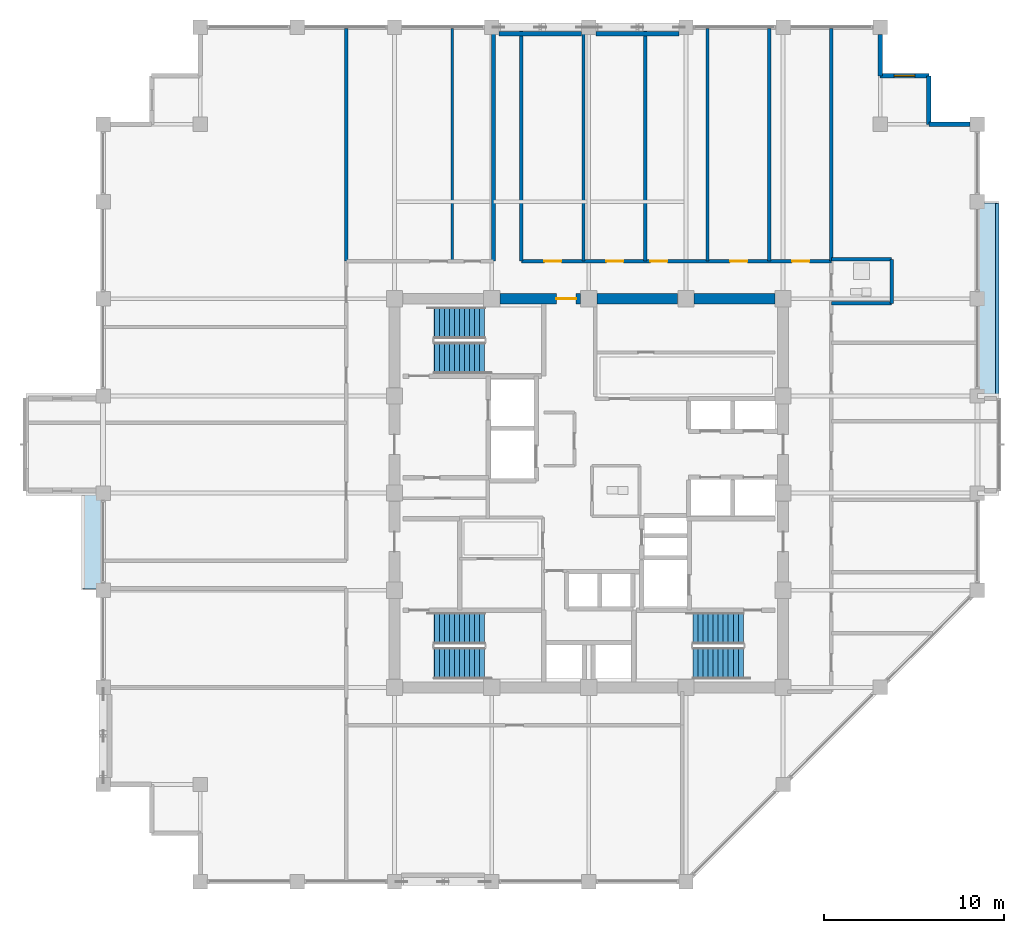
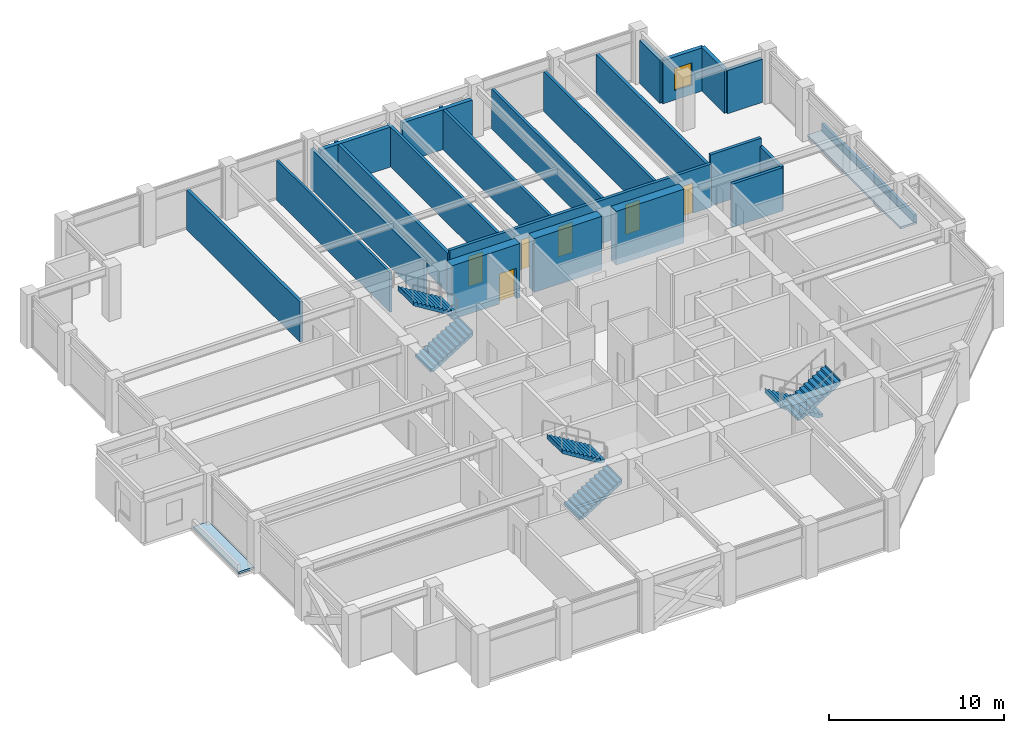
# One storey, part 25 of 28: 23 walls, 6 doors, 6 stair flights, 2 roofs, 1 window, 7 openings, 3 elements without a shape of their own.
"""IFC4 building model written with IfcOpenShell, lengths in metres."""

from ifc_helpers import new_model, si_unit, direction, frame, frame_2d, origin, place, context, subcontext, project, spatial, polyline, rectangle, outline, extrude, material, layer, layer_set, type_object, element, fill, aggregate, save


model = new_model("IFC4")

# Units and contexts
model_context = context("Model", 3, precision=1e-05, world=origin(), true_north=direction((0.0, 1.0)))
body_context = subcontext(model_context, "Body", "Model", "MODEL_VIEW")
ifc_project = project(units=[si_unit("LENGTHUNIT", "METRE"), si_unit("AREAUNIT", "SQUARE_METRE"), si_unit("VOLUMEUNIT", "CUBIC_METRE"), si_unit("PLANEANGLEUNIT", "RADIAN"), si_unit("MASSUNIT", "GRAM", prefix="KILO")], contexts=[model_context])

# Site, building, storey
site_placement = place(None, origin())
site = spatial("IfcSite", under=ifc_project, at=site_placement, CompositionType="ELEMENT")
building_placement = place(site_placement, origin())
building = spatial("IfcBuilding", under=site, at=building_placement, Name="Surkhivell Harbour Commons", CompositionType="ELEMENT")
storey_placement = place(building_placement, frame((0.0, 0.0, 238.5)))
storey = spatial("IfcBuildingStorey", under=building, at=storey_placement, Name="L62", CompositionType="ELEMENT", Elevation=238.5)

# Wall, opening, door
ifc_material_1 = material(Name="Concrete C60/75", Category="concrete")
ifc_layer_1 = layer(ifc_material_1, 0.60009765625)
ifc_layer_set_1 = layer_set([ifc_layer_1], Name="Concrete C60/75")
wall_type_1 = type_object("IfcWallType", Name="WAL-CORE-600", PredefinedType="SHEAR", material=ifc_layer_set_1)
wall_1_placement = place(storey_placement, frame((-4.93994140625, 10.800048828125, 0.0), z_axis=(0.0, 0.0, 1.0), x_axis=(1.0, 0.0, 0.0)))
wall_1 = element("IfcWall", 1, at=wall_1_placement, inside=storey, type_object=wall_type_1, Name="L62 Core Shear Wall North 2", PredefinedType="SHEAR", context=body_context, shape_type="SweptSolid", body=[
    extrude(rectangle(XDim=4.47998046875, YDim=0.60009765625, at=frame_2d((2.239990234375, 0.0))), origin(), (0.0, 0.0, 1.0), 3.75),
])
opening_1_placement = place(wall_1_placement, frame((3.1298828125, 0.0, 0.0)))
opening_1 = element("IfcOpeningElement", 2, at=opening_1_placement, cuts=wall_1, Name="Opening ID-2", PredefinedType="OPENING", context=body_context, shape_type="SweptSolid", body=[
    extrude(rectangle(XDim=1.10009765625, YDim=2.10009765625, at=frame_2d((0.550048828125, 1.050048828125))), frame((0.0, 0.31005859375, 0.0), z_axis=(0.0, -1.0, 0.0), x_axis=(1.0, 0.0, 0.0)), (0.0, 0.0, 1.0), 0.6201171875),
])
ifc_material_2 = material(Name="Hardwood-veneered fire-rated door leaf", Category="wood")
door_type_1 = type_object("IfcDoorType", Name="DOR-FD60-1100", OperationType="NOTDEFINED", PredefinedType="DOOR", material=ifc_material_2)
door_1_placement = place(opening_1_placement, origin())
door_1 = element("IfcDoor", 3, at=door_1_placement, inside=storey, type_object=door_type_1, Name="L62 Central Core Lift Hall North Corridor Door", OperationType="SINGLE_SWING_LEFT", OverallHeight=2.10009765625, OverallWidth=1.10009765625, PredefinedType="DOOR", context=body_context, shape_type="SweptSolid", body=[
    extrude(rectangle(XDim=1.10009765625, YDim=2.10009765625, at=frame_2d((0.550048828125, 1.050048828125))), frame((0.0, 0.02490234375, 0.0), z_axis=(0.0, -1.0, 0.0), x_axis=(1.0, 0.0, 0.0)), (0.0, 0.0, 1.0), 0.050048828125),
])
fill(opening_1, door_1)

# Walls
for number, where, z_axis, x_axis, name in (
    (4, (0.4599609375, 10.800048828125, 0.0), (0.0, 0.0, 1.0), (1.0, 0.0, 0.0), "L62 Core Shear Wall North 3"),
    (5, (5.860107421875, 10.800048828125, 0.0), (0.0, 0.0, 1.0), (1.0, 0.0, 0.0), "L62 Core Shear Wall North 4"),
):
    element("IfcWall", number, at=place(storey_placement, frame(where, z_axis=z_axis, x_axis=x_axis)), inside=storey, type_object=wall_type_1, Name=name, PredefinedType="SHEAR", context=body_context, shape_type="SweptSolid", body=[
        extrude(rectangle(XDim=4.47998046875, YDim=0.60009765625, at=frame_2d((2.239990234375, 0.0))), origin(), (0.0, 0.0, 1.0), 3.75),
    ])
ifc_material_3 = material(Name="Pale-metal insulated precast concrete C45/55", Category="concrete")
ifc_layer_2 = layer(ifc_material_3, 0.260009765625)
ifc_layer_set_2 = layer_set([ifc_layer_2], Name="Pale-metal insulated precast concrete C45/55")
wall_type_2 = type_object("IfcWallType", Name="WAL-EXT-MTL260", PredefinedType="STANDARD", material=ifc_layer_set_2)
wall_2_placement = place(storey_placement, frame((21.201904296875, 20.5, 0.0), z_axis=(0.0, 0.0, 1.0), x_axis=(-1.0, 0.0, 0.0)))
element("IfcWall", 6, at=wall_2_placement, inside=storey, type_object=wall_type_2, Name="L62 Serrated Corner Facade Wall 03", PredefinedType="STANDARD", context=body_context, shape_type="SweptSolid", body=[
    extrude(rectangle(XDim=2.302001953125, YDim=0.260009765625, at=frame_2d((1.15087890625, 0.0))), origin(), (0.0, 0.0, 1.0), 3.006103515625),
])
wall_3_placement = place(storey_placement, frame((18.89990234375, 20.5, 0.0), z_axis=(0.0, 0.0, 1.0), x_axis=(0.0, 1.0, 0.0)))
element("IfcWall", 7, at=wall_3_placement, inside=storey, type_object=wall_type_2, Name="L62 Serrated Corner Facade Wall 04", PredefinedType="STANDARD", context=body_context, shape_type="SweptSolid", body=[
    extrude(rectangle(XDim=2.699951171875, YDim=0.260009765625, at=frame_2d((1.35009765625, 0.0))), origin(), (0.0, 0.0, 1.0), 3.006103515625),
])

# Wall, opening, window
wall_4_placement = place(storey_placement, frame((18.89990234375, 23.199951171875, 0.0), z_axis=(0.0, 0.0, 1.0), x_axis=(-1.0, 0.0, 0.0)))
wall_4 = element("IfcWall", 8, at=wall_4_placement, inside=storey, type_object=wall_type_2, Name="L62 Serrated Corner Facade Wall 05", PredefinedType="STANDARD", context=body_context, shape_type="SweptSolid", body=[
    extrude(rectangle(XDim=2.699951171875, YDim=0.260009765625, at=frame_2d((1.35009765625, 0.0))), origin(), (0.0, 0.0, 1.0), 3.006103515625),
])
opening_2_placement = place(wall_4_placement, frame((0.77490234375, 0.0, 0.64990234375)))
opening_2 = element("IfcOpeningElement", 9, at=opening_2_placement, cuts=wall_4, Name="Opening WN-10", PredefinedType="OPENING", context=body_context, shape_type="SweptSolid", body=[
    extrude(rectangle(XDim=1.14990234375, YDim=1.550048828125, at=frame_2d((0.574951171875, 0.77490234375))), frame((0.0, 0.139892578125, 0.0), z_axis=(0.0, -1.0, 0.0), x_axis=(1.0, 0.0, 0.0)), (0.0, 0.0, 1.0), 0.280029296875),
])
ifc_material_4 = material(Name="Thermal-break aluminium frame and double low-E glazing", Category="aluminium")
window_type = type_object("IfcWindowType", Name="WIN-SER-1150x1550", PartitioningType="SINGLE_PANEL", PredefinedType="WINDOW", material=ifc_material_4)
window_placement = place(opening_2_placement, origin())
window = element("IfcWindow", 10, at=window_placement, inside=storey, type_object=window_type, Name="L62 Serrated Alcove Window 05", OverallHeight=1.550048828125, OverallWidth=1.14990234375, PartitioningType="SINGLE_PANEL", PredefinedType="WINDOW", context=body_context, shape_type="SweptSolid", body=[
    extrude(rectangle(XDim=1.14990234375, YDim=1.550048828125, at=frame_2d((0.574951171875, 0.77490234375))), frame((0.0, 0.030029296875, 0.0), z_axis=(0.0, -1.0, 0.0), x_axis=(1.0, 0.0, 0.0)), (0.0, 0.0, 1.0), 0.06005859375),
])
fill(opening_2, window)

# Walls
wall_5_placement = place(storey_placement, frame((16.199951171875, 23.199951171875, 0.0), z_axis=(0.0, 0.0, 1.0), x_axis=(0.0, 1.0, 0.0)))
element("IfcWall", 11, at=wall_5_placement, inside=storey, type_object=wall_type_2, Name="L62 Serrated Corner Facade Wall 06", PredefinedType="STANDARD", context=body_context, shape_type="SweptSolid", body=[
    extrude(rectangle(XDim=2.302001953125, YDim=0.260009765625, at=frame_2d((1.15087890625, 0.0))), origin(), (0.0, 0.0, 1.0), 3.006103515625),
])
for number, where, z_axis, x_axis, name in (
    (12, (-0.39794921875, 25.5400390625, 0.0), (0.0, 0.0, 1.0), (-1.0, 0.0, 0.0), "L62 Braced-Bay Insulated Spandrel Backing N"),
    (13, (5.001953125, 25.5400390625, 0.0), (0.0, 0.0, 1.0), (-1.0, 0.0, 0.0), "L62 Braced-Bay Insulated Spandrel Backing N2"),
):
    element("IfcWall", number, at=place(storey_placement, frame(where, z_axis=z_axis, x_axis=x_axis)), inside=storey, type_object=wall_type_2, Name=name, PredefinedType="STANDARD", context=body_context, shape_type="SweptSolid", body=[
        extrude(rectangle(XDim=4.60400390625, YDim=0.260009765625, at=frame_2d((2.302001953125, 0.0))), origin(), (0.0, 0.0, 1.0), 2.780029296875),
    ])
ifc_material_5 = material(Name="Twin-stud acoustic fireboard partition", Category="other")
ifc_layer_3 = layer(ifc_material_5, 0.14990234375)
ifc_layer_set_3 = layer_set([ifc_layer_3], Name="Twin-stud acoustic fireboard partition")
wall_type_3 = type_object("IfcWallType", Name="WAL-INT-150", PredefinedType="PARTITIONING", material=ifc_layer_set_3)
wall_6_placement = place(storey_placement, frame((-7.590087890625, 12.89990234375, 0.0), z_axis=(0.0, 0.0, 1.0), x_axis=(0.0, 1.0, 0.0)))
element("IfcWall", 14, at=wall_6_placement, inside=storey, type_object=wall_type_3, Name="L62 North-West Partition P1", PredefinedType="PARTITIONING", context=body_context, shape_type="SweptSolid", body=[
    extrude(rectangle(XDim=12.940185546875, YDim=0.14990234375, at=frame_2d((6.47021484375, 0.0))), origin(), (0.0, 0.0, 1.0), 2.780029296875),
])
ifc_material_6 = material(Name="High-density acoustic blockwork fire partition", Category="masonry")
ifc_layer_4 = layer(ifc_material_6, 0.175048828125)
ifc_layer_set_4 = layer_set([ifc_layer_4], Name="High-density acoustic blockwork fire partition")
wall_type_4 = type_object("IfcWallType", Name="WAL-INT-175", PredefinedType="PARTITIONING", material=ifc_layer_set_4)
for number, where, z_axis, x_axis, name in (
    (15, (-0.300048828125, 12.89990234375, 0.0), (0.0, 0.0, 1.0), (0.0, 1.0, 0.0), "L62 North-East Partition P1"),
    (16, (3.139892578125, 12.89990234375, 0.0), (0.0, 0.0, 1.0), (0.0, 1.0, 0.0), "L62 North-East Partition P2"),
    (17, (6.590087890625, 12.89990234375, 0.0), (0.0, 0.0, 1.0), (0.0, 1.0, 0.0), "L62 North-East Partition P3"),
    (18, (10.030029296875, 12.89990234375, 0.0), (0.0, 0.0, 1.0), (0.0, 1.0, 0.0), "L62 North-East Partition P4"),
):
    element("IfcWall", number, at=place(storey_placement, frame(where, z_axis=z_axis, x_axis=x_axis)), inside=storey, type_object=wall_type_4, Name=name, PredefinedType="PARTITIONING", context=body_context, shape_type="SweptSolid", body=[
        extrude(rectangle(XDim=12.940185546875, YDim=0.175048828125, at=frame_2d((6.47021484375, 0.0))), origin(), (0.0, 0.0, 1.0), 2.780029296875),
    ])
ifc_material_7 = material(Name="Autoclaved aerated concrete blockwork and fire plaster", Category="masonry")
ifc_layer_5 = layer(ifc_material_7, 0.199951171875)
ifc_layer_set_5 = layer_set([ifc_layer_5], Name="Autoclaved aerated concrete blockwork and fire plaster")
wall_type_5 = type_object("IfcWallType", Name="WAL-INT-200", PredefinedType="PARTITIONING", material=ifc_layer_set_5)
for number, where, z_axis, x_axis, name in (
    (19, (13.47998046875, 12.89990234375, 0.0), (0.0, 0.0, 1.0), (0.0, 1.0, 0.0), "L62 North-East Corner Wall"),
    (20, (-13.47998046875, 12.89990234375, 0.0), (0.0, 0.0, 1.0), (0.0, 1.0, 0.0), "L62 North-West Corner Wall"),
):
    element("IfcWall", number, at=place(storey_placement, frame(where, z_axis=z_axis, x_axis=x_axis)), inside=storey, type_object=wall_type_5, Name=name, PredefinedType="PARTITIONING", context=body_context, shape_type="SweptSolid", body=[
        extrude(rectangle(XDim=12.940185546875, YDim=0.199951171875, at=frame_2d((6.47021484375, 0.0))), origin(), (0.0, 0.0, 1.0), 2.780029296875),
    ])

# Wall, openings, doors
wall_7_placement = place(storey_placement, frame((-3.75, 12.89990234375, 0.0), z_axis=(0.0, 0.0, 1.0), x_axis=(1.0, 0.0, 0.0)))
wall_7 = element("IfcWall", 21, at=wall_7_placement, inside=storey, type_object=wall_type_5, Name="L62 Corridor North-East Wall", PredefinedType="PARTITIONING", context=body_context, shape_type="SweptSolid", body=[
    extrude(rectangle(XDim=17.22998046875, YDim=0.199951171875, at=frame_2d((8.614990234375, 0.0))), origin(), (0.0, 0.0, 1.0), 3.006103515625),
])
opening_3_placement = place(wall_7_placement, frame((1.27490234375, 0.0, 0.0)))
opening_3 = element("IfcOpeningElement", 22, at=opening_3_placement, cuts=wall_7, Name="Opening ID-4", PredefinedType="OPENING", context=body_context, shape_type="SweptSolid", body=[
    extrude(rectangle(XDim=0.949951171875, YDim=2.10009765625, at=frame_2d((0.47509765625, 1.050048828125))), frame((0.0, 0.10986328125, 0.0), z_axis=(0.0, -1.0, 0.0), x_axis=(1.0, 0.0, 0.0)), (0.0, 0.0, 1.0), 0.219970703125),
])
opening_4_placement = place(wall_7_placement, frame((4.719970703125, 0.0, 0.0)))
opening_4 = element("IfcOpeningElement", 23, at=opening_4_placement, cuts=wall_7, Name="Opening ID-4", PredefinedType="OPENING", context=body_context, shape_type="SweptSolid", body=[
    extrude(rectangle(XDim=0.949951171875, YDim=2.10009765625, at=frame_2d((0.47509765625, 1.050048828125))), frame((0.0, 0.10986328125, 0.0), z_axis=(0.0, -1.0, 0.0), x_axis=(1.0, 0.0, 0.0)), (0.0, 0.0, 1.0), 0.219970703125),
])
opening_5_placement = place(wall_7_placement, frame((7.169921875, 0.0, 0.0)))
opening_5 = element("IfcOpeningElement", 24, at=opening_5_placement, cuts=wall_7, Name="Opening ID-4", PredefinedType="OPENING", context=body_context, shape_type="SweptSolid", body=[
    extrude(rectangle(XDim=0.949951171875, YDim=2.10009765625, at=frame_2d((0.47509765625, 1.050048828125))), frame((0.0, 0.10986328125, 0.0), z_axis=(0.0, -1.0, 0.0), x_axis=(1.0, 0.0, 0.0)), (0.0, 0.0, 1.0), 0.219970703125),
])
opening_6_placement = place(wall_7_placement, frame((11.610107421875, 0.0, 0.0)))
opening_6 = element("IfcOpeningElement", 25, at=opening_6_placement, cuts=wall_7, Name="Opening ID-4", PredefinedType="OPENING", context=body_context, shape_type="SweptSolid", body=[
    extrude(rectangle(XDim=0.949951171875, YDim=2.10009765625, at=frame_2d((0.47509765625, 1.050048828125))), frame((0.0, 0.10986328125, 0.0), z_axis=(0.0, -1.0, 0.0), x_axis=(1.0, 0.0, 0.0)), (0.0, 0.0, 1.0), 0.219970703125),
])
opening_7_placement = place(wall_7_placement, frame((15.054931640625, 0.0, 0.0)))
opening_7 = element("IfcOpeningElement", 26, at=opening_7_placement, cuts=wall_7, Name="Opening ID-4", PredefinedType="OPENING", context=body_context, shape_type="SweptSolid", body=[
    extrude(rectangle(XDim=0.949951171875, YDim=2.10009765625, at=frame_2d((0.47509765625, 1.050048828125))), frame((0.0, 0.10986328125, 0.0), z_axis=(0.0, -1.0, 0.0), x_axis=(1.0, 0.0, 0.0)), (0.0, 0.0, 1.0), 0.219970703125),
])
door_type_2 = type_object("IfcDoorType", Name="DOR-FD60-950", OperationType="NOTDEFINED", PredefinedType="DOOR", material=ifc_material_2)
door_2_placement = place(opening_3_placement, origin())
door_2 = element("IfcDoor", 27, at=door_2_placement, inside=storey, type_object=door_type_2, Name="L62 Co-Working Study Office Pod 1 North-East Door", OperationType="SINGLE_SWING_LEFT", OverallHeight=2.10009765625, OverallWidth=0.949951171875, PredefinedType="DOOR", context=body_context, shape_type="SweptSolid", body=[
    extrude(rectangle(XDim=0.949951171875, YDim=2.10009765625, at=frame_2d((0.47509765625, 1.050048828125))), frame((0.0, 0.02490234375, 0.0), z_axis=(0.0, -1.0, 0.0), x_axis=(1.0, 0.0, 0.0)), (0.0, 0.0, 1.0), 0.050048828125),
])
fill(opening_3, door_2)
door_3_placement = place(opening_4_placement, origin())
door_3 = element("IfcDoor", 28, at=door_3_placement, inside=storey, type_object=door_type_2, Name="L62 Academic Seminar Pod 2 North-East Door", OperationType="SINGLE_SWING_RIGHT", OverallHeight=2.10009765625, OverallWidth=0.949951171875, PredefinedType="DOOR", context=body_context, shape_type="SweptSolid", body=[
    extrude(rectangle(XDim=0.949951171875, YDim=2.10009765625, at=frame_2d((0.47509765625, 1.050048828125))), frame((0.0, 0.02490234375, 0.0), z_axis=(0.0, -1.0, 0.0), x_axis=(1.0, 0.0, 0.0)), (0.0, 0.0, 1.0), 0.050048828125),
])
fill(opening_4, door_3)
door_4_placement = place(opening_5_placement, origin())
door_4 = element("IfcDoor", 29, at=door_4_placement, inside=storey, type_object=door_type_2, Name="L62 Harbour Espresso Cafe Shop 3 North-East Door", OperationType="SINGLE_SWING_LEFT", OverallHeight=2.10009765625, OverallWidth=0.949951171875, PredefinedType="DOOR", context=body_context, shape_type="SweptSolid", body=[
    extrude(rectangle(XDim=0.949951171875, YDim=2.10009765625, at=frame_2d((0.47509765625, 1.050048828125))), frame((0.0, 0.02490234375, 0.0), z_axis=(0.0, -1.0, 0.0), x_axis=(1.0, 0.0, 0.0)), (0.0, 0.0, 1.0), 0.050048828125),
])
fill(opening_5, door_4)
door_5_placement = place(opening_6_placement, origin())
door_5 = element("IfcDoor", 30, at=door_5_placement, inside=storey, type_object=door_type_2, Name="L62 Zone Concierge Reception Foyer 4 North-East Door", OperationType="SINGLE_SWING_RIGHT", OverallHeight=2.10009765625, OverallWidth=0.949951171875, PredefinedType="DOOR", context=body_context, shape_type="SweptSolid", body=[
    extrude(rectangle(XDim=0.949951171875, YDim=2.10009765625, at=frame_2d((0.47509765625, 1.050048828125))), frame((0.0, 0.02490234375, 0.0), z_axis=(0.0, -1.0, 0.0), x_axis=(1.0, 0.0, 0.0)), (0.0, 0.0, 1.0), 0.050048828125),
])
fill(opening_6, door_5)
door_6_placement = place(opening_7_placement, origin())
door_6 = element("IfcDoor", 31, at=door_6_placement, inside=storey, type_object=door_type_2, Name="L62 Shared Communal Kitchen 5 North-East Door", OperationType="SINGLE_SWING_LEFT", OverallHeight=2.10009765625, OverallWidth=0.949951171875, PredefinedType="DOOR", context=body_context, shape_type="SweptSolid", body=[
    extrude(rectangle(XDim=0.949951171875, YDim=2.10009765625, at=frame_2d((0.47509765625, 1.050048828125))), frame((0.0, 0.02490234375, 0.0), z_axis=(0.0, -1.0, 0.0), x_axis=(1.0, 0.0, 0.0)), (0.0, 0.0, 1.0), 0.050048828125),
])
fill(opening_7, door_6)

# Walls
for number, where, z_axis, x_axis, name in (
    (32, (-3.75, 12.89990234375, 0.0), (0.0, 0.0, 1.0), (0.0, 1.0, 0.0), "L62 North Spur East Wall"),
    (33, (-5.300048828125, 12.89990234375, 0.0), (0.0, 0.0, 1.0), (0.0, 1.0, 0.0), "L62 North Spur West Wall"),
):
    element("IfcWall", number, at=place(storey_placement, frame(where, z_axis=z_axis, x_axis=x_axis)), inside=storey, type_object=wall_type_5, Name=name, PredefinedType="PARTITIONING", context=body_context, shape_type="SweptSolid", body=[
        extrude(rectangle(XDim=12.940185546875, YDim=0.199951171875, at=frame_2d((6.47021484375, 0.0))), origin(), (0.0, 0.0, 1.0), 2.780029296875),
    ])
wall_8_placement = place(storey_placement, frame((16.830078125, 10.550048828125, 0.0), z_axis=(0.0, 0.0, 1.0), x_axis=(0.0, 1.0, 0.0)))
element("IfcWall", 34, at=wall_8_placement, inside=storey, type_object=wall_type_5, Name="L62 East Partition BTHB", PredefinedType="PARTITIONING", context=body_context, shape_type="SweptSolid", body=[
    extrude(rectangle(XDim=2.449951171875, YDim=0.199951171875, at=frame_2d((1.22509765625, 0.0))), origin(), (0.0, 0.0, 1.0), 3.006103515625),
])
wall_9_placement = place(storey_placement, frame((13.47998046875, 13.0, 0.0), z_axis=(0.0, 0.0, 1.0), x_axis=(1.0, 0.0, 0.0)))
element("IfcWall", 35, at=wall_9_placement, inside=storey, type_object=wall_type_5, Name="L62 East Partition BTHN", PredefinedType="PARTITIONING", context=body_context, shape_type="SweptSolid", body=[
    extrude(rectangle(XDim=3.35009765625, YDim=0.199951171875, at=frame_2d((1.675048828125, 0.0))), origin(), (0.0, 0.0, 1.0), 3.570068359375),
])
wall_10_placement = place(storey_placement, frame((13.47998046875, 10.550048828125, 0.0), z_axis=(0.0, 0.0, 1.0), x_axis=(1.0, 0.0, 0.0)))
element("IfcWall", 36, at=wall_10_placement, inside=storey, type_object=wall_type_5, Name="L62 East Partition BTHS", PredefinedType="PARTITIONING", context=body_context, shape_type="SweptSolid", body=[
    extrude(rectangle(XDim=3.35009765625, YDim=0.199951171875, at=frame_2d((1.675048828125, 0.0))), origin(), (0.0, 0.0, 1.0), 3.006103515625),
])
ifc_material_8 = material(Name="Anodised aluminium and precast concrete C40/50", Category="concrete")
ifc_layer_6 = layer(ifc_material_8, 0.18505859375)
ifc_layer_set_6 = layer_set([ifc_layer_6], Name="Anodised aluminium and precast concrete C40/50")
wall_type_6 = type_object("IfcWallType", Name="WAL-PAR-185", PredefinedType="PARAPET", material=ifc_layer_set_6)
wall_11_placement = place(storey_placement, frame((22.699951171875, 5.52001953125, 0.0), z_axis=(0.0, 0.0, 1.0), x_axis=(0.0, 1.0, 0.0)))
element("IfcWall", 37, at=wall_11_placement, inside=storey, type_object=wall_type_6, Name="L62 Box Roof Coping Parapet 1-1", PredefinedType="PARAPET", context=body_context, shape_type="SweptSolid", body=[
    extrude(rectangle(XDim=10.580078125, YDim=0.18505859375, at=frame_2d((5.2900390625, 0.0))), origin(), (0.0, 0.0, 1.0), 0.64990234375),
])

# Stair, stair flights
ifc_material_9 = material(Name="Precast concrete C45/55", Category="concrete")
stair_type = type_object("IfcStairType", Name="STR-DL-375", PredefinedType="HALF_TURN_STAIR", material=ifc_material_9)
stair_1_placement = place(storey_placement, origin())
stair_1 = element("IfcStair", 38, at=stair_1_placement, inside=storey, type_object=stair_type, Name="L62 Core Exit Stair ST1", PredefinedType="HALF_TURN_STAIR")
stair_flight_type = type_object("IfcStairFlightType", Name="STF-DL-375", PredefinedType="STRAIGHT", material=ifc_material_9)
stair_flight_1_placement = place(storey_placement, frame((-8.590087890625, 7.514892578125, 0.0), z_axis=(0.0, 0.0, 1.0), x_axis=(1.0, 0.0, 0.0)))
stair_flight_1 = element("IfcStairFlight", 39, at=stair_flight_1_placement, type_object=stair_flight_type, Name="ST1 flight 1", NumberOfRisers=11, NumberOfTreads=10, PredefinedType="STRAIGHT", RiserHeight=0.170454545, TreadLength=0.28, context=body_context, shape_type="SweptSolid", body=[
    extrude(outline(polyline([(-0.0029296875, -0.034912109375), (-0.0029296875, 0.0), (0.0, 0.0), (0.0, 0.17041015625), (0.280029296875, 0.17041015625), (0.280029296875, 0.3408203125), (0.56005859375, 0.3408203125), (0.56005859375, 0.511474609375), (0.840087890625, 0.511474609375), (0.840087890625, 0.681884765625), (1.1201171875, 0.681884765625), (1.1201171875, 0.852294921875), (1.39990234375, 0.852294921875), (1.39990234375, 1.022705078125), (1.679931640625, 1.022705078125), (1.679931640625, 1.193115234375), (1.9599609375, 1.193115234375), (1.9599609375, 1.363525390625), (2.239990234375, 1.363525390625), (2.239990234375, 1.5341796875), (2.52001953125, 1.5341796875), (2.52001953125, 1.70458984375), (2.800048828125, 1.70458984375), (2.800048828125, 1.875), (2.802978515625, 1.875), (2.802978515625, 1.529052734375), (0.288330078125, -0.034912109375), (-0.0029296875, -0.034912109375)])), frame((0.0, 0.875, 0.0), z_axis=(0.0, -1.0, 0.0), x_axis=(1.0, 0.0, 0.0)), (0.0, 0.0, 1.0), 1.75),
])
stair_flight_2_placement = place(storey_placement, frame((-5.7900390625, 9.465087890625, 1.875), z_axis=(0.0, 0.0, 1.0), x_axis=(-1.0, 0.0, 0.0)))
stair_flight_2 = element("IfcStairFlight", 40, at=stair_flight_2_placement, type_object=stair_flight_type, Name="ST1 flight 2", NumberOfRisers=11, NumberOfTreads=10, PredefinedType="STRAIGHT", RiserHeight=0.170454545, TreadLength=0.28, context=body_context, shape_type="SweptSolid", body=[
    extrude(outline(polyline([(-0.0029296875, -0.034912109375), (-0.0029296875, 0.0), (0.0, 0.0), (0.0, 0.17041015625), (0.280029296875, 0.17041015625), (0.280029296875, 0.3408203125), (0.56005859375, 0.3408203125), (0.56005859375, 0.511474609375), (0.840087890625, 0.511474609375), (0.840087890625, 0.681884765625), (1.1201171875, 0.681884765625), (1.1201171875, 0.852294921875), (1.39990234375, 0.852294921875), (1.39990234375, 1.022705078125), (1.679931640625, 1.022705078125), (1.679931640625, 1.193115234375), (1.9599609375, 1.193115234375), (1.9599609375, 1.363525390625), (2.239990234375, 1.363525390625), (2.239990234375, 1.5341796875), (2.52001953125, 1.5341796875), (2.52001953125, 1.70458984375), (2.800048828125, 1.70458984375), (2.800048828125, 1.875), (2.802978515625, 1.875), (2.802978515625, 1.529052734375), (0.288330078125, -0.034912109375), (-0.0029296875, -0.034912109375)])), frame((0.0, 0.875, 0.0), z_axis=(0.0, -1.0, 0.0), x_axis=(1.0, 0.0, 0.0)), (0.0, 0.0, 1.0), 1.75),
])
aggregate(stair_1, [stair_flight_1, stair_flight_2])

stair_2_placement = place(storey_placement, origin())
stair_2 = element("IfcStair", 41, at=stair_2_placement, inside=storey, type_object=stair_type, Name="L62 Core Exit Stair ST2", PredefinedType="HALF_TURN_STAIR")
stair_flight_3_placement = place(storey_placement, frame((8.590087890625, -7.514892578125, 0.0), z_axis=(0.0, 0.0, 1.0), x_axis=(-1.0, 0.0, 0.0)))
stair_flight_3 = element("IfcStairFlight", 42, at=stair_flight_3_placement, type_object=stair_flight_type, Name="ST2 flight 1", NumberOfRisers=11, NumberOfTreads=10, PredefinedType="STRAIGHT", RiserHeight=0.170454545, TreadLength=0.28, context=body_context, shape_type="SweptSolid", body=[
    extrude(outline(polyline([(-0.0029296875, -0.034912109375), (-0.0029296875, 0.0), (0.0, 0.0), (0.0, 0.17041015625), (0.280029296875, 0.17041015625), (0.280029296875, 0.3408203125), (0.56005859375, 0.3408203125), (0.56005859375, 0.511474609375), (0.840087890625, 0.511474609375), (0.840087890625, 0.681884765625), (1.1201171875, 0.681884765625), (1.1201171875, 0.852294921875), (1.39990234375, 0.852294921875), (1.39990234375, 1.022705078125), (1.679931640625, 1.022705078125), (1.679931640625, 1.193115234375), (1.9599609375, 1.193115234375), (1.9599609375, 1.363525390625), (2.239990234375, 1.363525390625), (2.239990234375, 1.5341796875), (2.52001953125, 1.5341796875), (2.52001953125, 1.70458984375), (2.800048828125, 1.70458984375), (2.800048828125, 1.875), (2.802978515625, 1.875), (2.802978515625, 1.529052734375), (0.288330078125, -0.034912109375), (-0.0029296875, -0.034912109375)])), frame((0.0, 0.875, 0.0), z_axis=(0.0, -1.0, 0.0), x_axis=(1.0, 0.0, 0.0)), (0.0, 0.0, 1.0), 1.75),
])
stair_flight_4_placement = place(storey_placement, frame((5.7900390625, -9.465087890625, 1.875), z_axis=(0.0, 0.0, 1.0), x_axis=(1.0, 0.0, 0.0)))
stair_flight_4 = element("IfcStairFlight", 43, at=stair_flight_4_placement, type_object=stair_flight_type, Name="ST2 flight 2", NumberOfRisers=11, NumberOfTreads=10, PredefinedType="STRAIGHT", RiserHeight=0.170454545, TreadLength=0.28, context=body_context, shape_type="SweptSolid", body=[
    extrude(outline(polyline([(-0.0029296875, -0.034912109375), (-0.0029296875, 0.0), (0.0, 0.0), (0.0, 0.17041015625), (0.280029296875, 0.17041015625), (0.280029296875, 0.3408203125), (0.56005859375, 0.3408203125), (0.56005859375, 0.511474609375), (0.840087890625, 0.511474609375), (0.840087890625, 0.681884765625), (1.1201171875, 0.681884765625), (1.1201171875, 0.852294921875), (1.39990234375, 0.852294921875), (1.39990234375, 1.022705078125), (1.679931640625, 1.022705078125), (1.679931640625, 1.193115234375), (1.9599609375, 1.193115234375), (1.9599609375, 1.363525390625), (2.239990234375, 1.363525390625), (2.239990234375, 1.5341796875), (2.52001953125, 1.5341796875), (2.52001953125, 1.70458984375), (2.800048828125, 1.70458984375), (2.800048828125, 1.875), (2.802978515625, 1.875), (2.802978515625, 1.529052734375), (0.288330078125, -0.034912109375), (-0.0029296875, -0.034912109375)])), frame((0.0, 0.875, 0.0), z_axis=(0.0, -1.0, 0.0), x_axis=(1.0, 0.0, 0.0)), (0.0, 0.0, 1.0), 1.75),
])
aggregate(stair_2, [stair_flight_3, stair_flight_4])

stair_3_placement = place(storey_placement, origin())
stair_3 = element("IfcStair", 44, at=stair_3_placement, inside=storey, type_object=stair_type, Name="L62 Core Exit Stair ST3", PredefinedType="HALF_TURN_STAIR")
stair_flight_5_placement = place(storey_placement, frame((-8.590087890625, -9.465087890625, 0.0), z_axis=(0.0, 0.0, 1.0), x_axis=(1.0, 0.0, 0.0)))
stair_flight_5 = element("IfcStairFlight", 45, at=stair_flight_5_placement, type_object=stair_flight_type, Name="ST3 flight 1", NumberOfRisers=11, NumberOfTreads=10, PredefinedType="STRAIGHT", RiserHeight=0.170454545, TreadLength=0.28, context=body_context, shape_type="SweptSolid", body=[
    extrude(outline(polyline([(-0.0029296875, -0.034912109375), (-0.0029296875, 0.0), (0.0, 0.0), (0.0, 0.17041015625), (0.280029296875, 0.17041015625), (0.280029296875, 0.3408203125), (0.56005859375, 0.3408203125), (0.56005859375, 0.511474609375), (0.840087890625, 0.511474609375), (0.840087890625, 0.681884765625), (1.1201171875, 0.681884765625), (1.1201171875, 0.852294921875), (1.39990234375, 0.852294921875), (1.39990234375, 1.022705078125), (1.679931640625, 1.022705078125), (1.679931640625, 1.193115234375), (1.9599609375, 1.193115234375), (1.9599609375, 1.363525390625), (2.239990234375, 1.363525390625), (2.239990234375, 1.5341796875), (2.52001953125, 1.5341796875), (2.52001953125, 1.70458984375), (2.800048828125, 1.70458984375), (2.800048828125, 1.875), (2.802978515625, 1.875), (2.802978515625, 1.529052734375), (0.288330078125, -0.034912109375), (-0.0029296875, -0.034912109375)])), frame((0.0, 0.875, 0.0), z_axis=(0.0, -1.0, 0.0), x_axis=(1.0, 0.0, 0.0)), (0.0, 0.0, 1.0), 1.75),
])
stair_flight_6_placement = place(storey_placement, frame((-5.7900390625, -7.514892578125, 1.875), z_axis=(0.0, 0.0, 1.0), x_axis=(-1.0, 0.0, 0.0)))
stair_flight_6 = element("IfcStairFlight", 46, at=stair_flight_6_placement, type_object=stair_flight_type, Name="ST3 flight 2", NumberOfRisers=11, NumberOfTreads=10, PredefinedType="STRAIGHT", RiserHeight=0.170454545, TreadLength=0.28, context=body_context, shape_type="SweptSolid", body=[
    extrude(outline(polyline([(-0.0029296875, -0.034912109375), (-0.0029296875, 0.0), (0.0, 0.0), (0.0, 0.17041015625), (0.280029296875, 0.17041015625), (0.280029296875, 0.3408203125), (0.56005859375, 0.3408203125), (0.56005859375, 0.511474609375), (0.840087890625, 0.511474609375), (0.840087890625, 0.681884765625), (1.1201171875, 0.681884765625), (1.1201171875, 0.852294921875), (1.39990234375, 0.852294921875), (1.39990234375, 1.022705078125), (1.679931640625, 1.022705078125), (1.679931640625, 1.193115234375), (1.9599609375, 1.193115234375), (1.9599609375, 1.363525390625), (2.239990234375, 1.363525390625), (2.239990234375, 1.5341796875), (2.52001953125, 1.5341796875), (2.52001953125, 1.70458984375), (2.800048828125, 1.70458984375), (2.800048828125, 1.875), (2.802978515625, 1.875), (2.802978515625, 1.529052734375), (0.288330078125, -0.034912109375), (-0.0029296875, -0.034912109375)])), frame((0.0, 0.875, 0.0), z_axis=(0.0, -1.0, 0.0), x_axis=(1.0, 0.0, 0.0)), (0.0, 0.0, 1.0), 1.75),
])
aggregate(stair_3, [stair_flight_5, stair_flight_6])

# Roofs
ifc_material_10 = material(Name="Vermilion-coral and saffron enamelled aluminium box roof cap", Category="aluminium")
ifc_layer_7 = layer(ifc_material_10, 0.139892578125)
ifc_layer_set_7 = layer_set([ifc_layer_7], Name="Vermilion-coral and saffron enamelled aluminium box roof cap")
roof_type = type_object("IfcRoofType", Name="ROF-BOX-CAP", PredefinedType="FLAT_ROOF", material=ifc_layer_set_7)
roof_1_placement = place(storey_placement, origin())
element("IfcRoof", 47, at=roof_1_placement, inside=storey, type_object=roof_type, Name="L62 Closed Coloured Box Roof Cap 1-1", PredefinedType="FLAT_ROOF", context=body_context, shape_type="SweptSolid", body=[
    extrude(outline(polyline([(21.699951171875, 16.1201171875), (21.699951171875, 5.5), (22.719970703125, 5.5), (22.719970703125, 16.1201171875), (21.699951171875, 16.1201171875)])), origin(), (0.0, 0.0, 1.0), 0.139892578125),
])
roof_2_placement = place(storey_placement, origin())
element("IfcRoof", 48, at=roof_2_placement, inside=storey, type_object=roof_type, Name="L62 Closed Coloured Box Roof Cap 2-1", PredefinedType="FLAT_ROOF", context=body_context, shape_type="SweptSolid", body=[
    extrude(outline(polyline([(-27.10009765625, -5.320068359375), (-27.10009765625, -0.10009765625), (-28.1201171875, -0.10009765625), (-28.1201171875, -5.320068359375), (-27.10009765625, -5.320068359375)])), origin(), (0.0, 0.0, 1.0), 0.139892578125),
])

save(model, "model.ifc")
